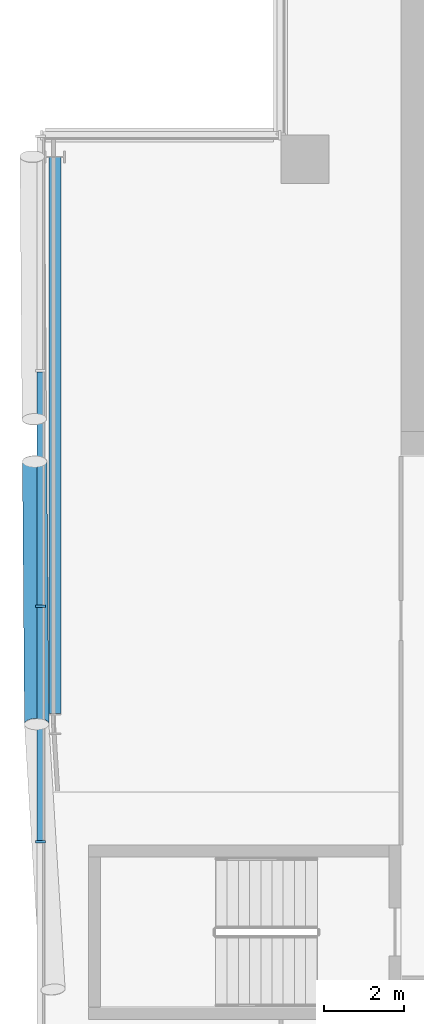
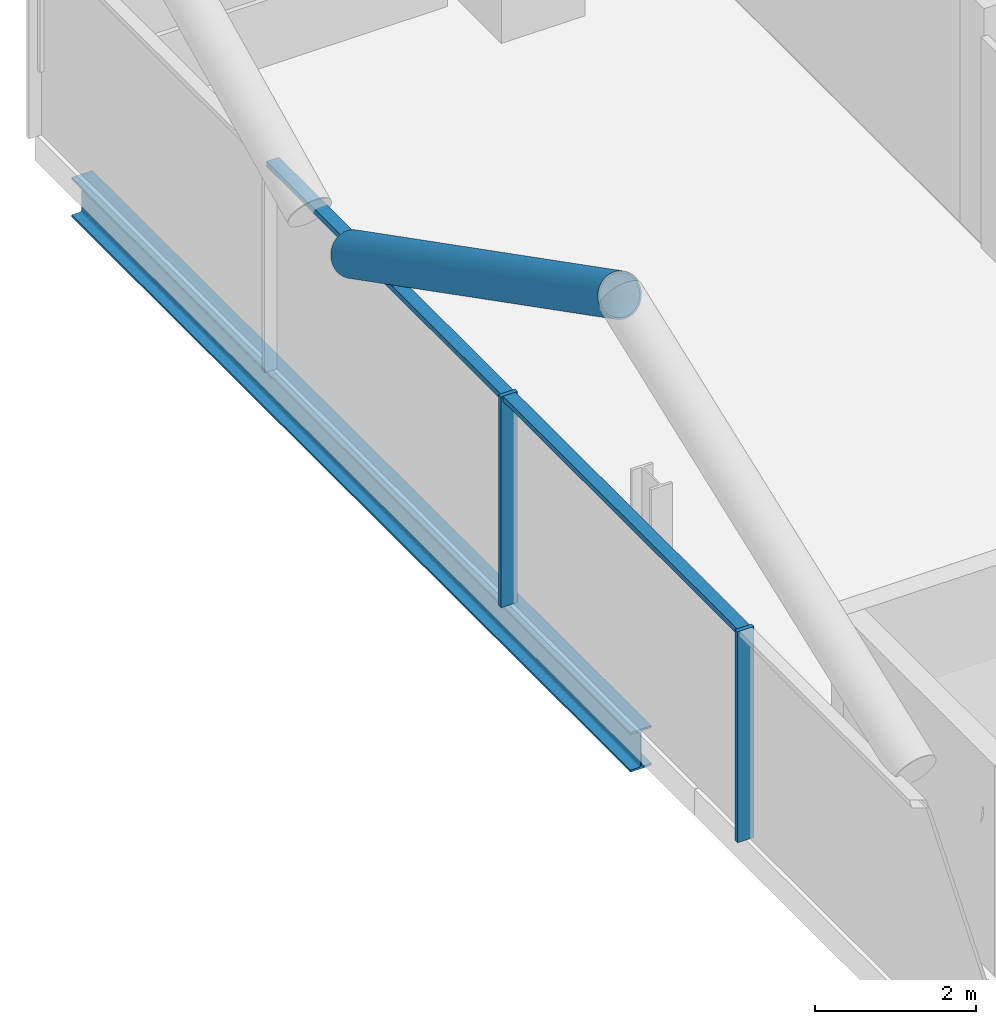
# One storey, part 7 of 27: 5 members, 1 beam, 1 element without a shape of its own.
"""IFC4 building model written with IfcOpenShell, lengths in metres."""

from ifc_helpers import new_model, si_unit, direction, frame, origin, origin_2d, place, context, subcontext, project, spatial, rectangle, hollow_circle, i_section, extrude, material, material_profile, profile_set, type_object, element, aggregate, save


model = new_model("IFC4")

# Units and contexts
model_context = context("Model", 3, precision=1e-05, world=origin(), true_north=direction((0.0, 1.0)))
body_context = subcontext(model_context, "Body", "Model", "MODEL_VIEW")
ifc_project = project(units=[si_unit("LENGTHUNIT", "METRE"), si_unit("AREAUNIT", "SQUARE_METRE"), si_unit("VOLUMEUNIT", "CUBIC_METRE"), si_unit("PLANEANGLEUNIT", "RADIAN"), si_unit("MASSUNIT", "GRAM", prefix="KILO")], contexts=[model_context])

# Site, building, storey
site_placement = place(None, origin())
site = spatial("IfcSite", under=ifc_project, at=site_placement, CompositionType="ELEMENT")
building_placement = place(site_placement, origin())
building = spatial("IfcBuilding", under=site, at=building_placement, Name="Wharfspan Tower", CompositionType="ELEMENT")
storey_placement = place(building_placement, frame((0.0, 0.0, 228.699951)))
storey = spatial("IfcBuildingStorey", under=building, at=storey_placement, Name="L57", CompositionType="ELEMENT", Elevation=228.699951)

# Beam
ifc_material_1 = material(Name="Steel S355J2", Category="steel")
ifc_material_profile_1 = material_profile(ifc_material_1, i_section(OverallWidth=0.300049, OverallDepth=0.600098, WebThickness=0.015381, FlangeThickness=0.030029, FilletRadius=0.0271, at=origin_2d()))
ifc_profile_set_1 = profile_set([ifc_material_profile_1], Name="Steel S355J2")
beam_type = type_object("IfcBeamType", Name="Edge beam HEB 600", PredefinedType="SPANDREL", material=ifc_profile_set_1)
beam_placement = place(storey_placement, frame((14.356934, 41.453125, -0.699951), z_axis=(0.000211, -1.0, 0.0), x_axis=(1.0, 0.000211, 0.0)))
element("IfcBeam", 1, at=beam_placement, inside=storey, type_object=beam_type, Name="Edge beam W L57 PNRW-H.1 to PW.1", PredefinedType="SPANDREL", context=body_context, shape_type="SweptSolid", body=[
    extrude(i_section(OverallWidth=0.300049, OverallDepth=0.600098, WebThickness=0.015381, FlangeThickness=0.030029, FilletRadius=0.0271, at=origin_2d()), origin(), (0.0, 0.0, 1.0), 13.89502),
])

# Curtain wall, members
ifc_material_2 = material(Name="Aluminium 6063-T6", Category="aluminium")
curtain_wall_type = type_object("IfcCurtainWallType", Name="CURTAIN WALL PROW AND END", PredefinedType="NOTDEFINED", material=ifc_material_2)
curtain_wall_placement = place(storey_placement, origin())
curtain_wall = element("IfcCurtainWall", 2, at=curtain_wall_placement, inside=storey, type_object=curtain_wall_type, Name="Curtain wall W", PredefinedType="NOTDEFINED")
ifc_material_profile_2 = material_profile(ifc_material_2, rectangle(XDim=0.23999, YDim=0.060059, at=origin_2d()))
ifc_profile_set_2 = profile_set([ifc_material_profile_2], Name="Aluminium 6063-T6")
member_type_1 = type_object("IfcMemberType", Name="MULLION PROW AND END 60x240", PredefinedType="MULLION", material=ifc_profile_set_2)
member_1_placement = place(storey_placement, frame((14.0, 30.23999, 0.0), z_axis=(0.0, 0.0, 1.0), x_axis=(1.0, 0.0, 0.0)))
member_1 = element("IfcMember", 3, at=member_1_placement, type_object=member_type_1, Name="Curtain wall W mullion 3", PredefinedType="MULLION", context=body_context, shape_type="SweptSolid", body=[
    extrude(rectangle(XDim=0.23999, YDim=0.060059, at=origin_2d()), origin(), (0.0, 0.0, 1.0), 3.199951),
])
member_2_placement = place(storey_placement, frame((14.0, 24.360107, 0.0), z_axis=(0.0, 0.0, 1.0), x_axis=(1.0, 0.0, 0.0)))
member_2 = element("IfcMember", 4, at=member_2_placement, type_object=member_type_1, Name="Curtain wall W mullion 4", PredefinedType="MULLION", context=body_context, shape_type="SweptSolid", body=[
    extrude(rectangle(XDim=0.23999, YDim=0.060059, at=origin_2d()), origin(), (0.0, 0.0, 1.0), 3.199951),
])

# Member
ifc_material_3 = material(Name="Steel S460NH", Category="steel")
ifc_material_profile_3 = material_profile(ifc_material_3, hollow_circle(Radius=0.304932, WallThickness=0.024902, at=origin_2d()))
ifc_profile_set_3 = profile_set([ifc_material_profile_3], Name="Steel S460NH")
member_type_2 = type_object("IfcMemberType", Name="Mega brace CHS 610x25", PredefinedType="BRACE", material=ifc_profile_set_3)
member_3_placement = place(storey_placement, frame((13.853271, 33.849121, 3.169922), z_axis=(0.007044, -0.891361, 0.45324), x_axis=(0.999973, 0.007904, 3e-06)))
element("IfcMember", 5, at=member_3_placement, inside=storey, type_object=member_type_2, Name="Mega brace W3 L57 part 2", PredefinedType="BRACE", context=body_context, shape_type="SweptSolid", body=[
    extrude(hollow_circle(Radius=0.304932, WallThickness=0.024902, at=origin_2d()), origin(), (0.0, 0.0, 1.0), 7.347168),
])

ifc_material_profile_4 = material_profile(ifc_material_2, rectangle(XDim=0.179932, YDim=0.080078, at=origin_2d()))
ifc_profile_set_4 = profile_set([ifc_material_profile_4], Name="Aluminium 6063-T6")
member_type_3 = type_object("IfcMemberType", Name="TRANSOM PROW AND END 80x180", PredefinedType="USERDEFINED", material=ifc_profile_set_4)
member_4_placement = place(storey_placement, frame((14.0, 36.090088, 3.160156), z_axis=(0.0, -1.0, 0.0), x_axis=(1.0, 0.0, 0.0)))
member_4 = element("IfcMember", 6, at=member_4_placement, type_object=member_type_3, Name="Curtain wall W transom 2", ObjectType="TRANSOM", PredefinedType="USERDEFINED", context=body_context, shape_type="SweptSolid", body=[
    extrude(rectangle(XDim=0.179932, YDim=0.080078, at=origin_2d()), origin(), (0.0, 0.0, 1.0), 5.820068),
])

member_5_placement = place(storey_placement, frame((14.0, 30.209961, 3.160156), z_axis=(0.0, -1.0, 0.0), x_axis=(1.0, 0.0, 0.0)))
member_5 = element("IfcMember", 7, at=member_5_placement, type_object=member_type_3, Name="Curtain wall W transom 3", ObjectType="TRANSOM", PredefinedType="USERDEFINED", context=body_context, shape_type="SweptSolid", body=[
    extrude(rectangle(XDim=0.179932, YDim=0.080078, at=origin_2d()), origin(), (0.0, 0.0, 1.0), 5.820068),
])

aggregate(curtain_wall, [member_1, member_2, member_4, member_5])

save(model, "model.ifc")
